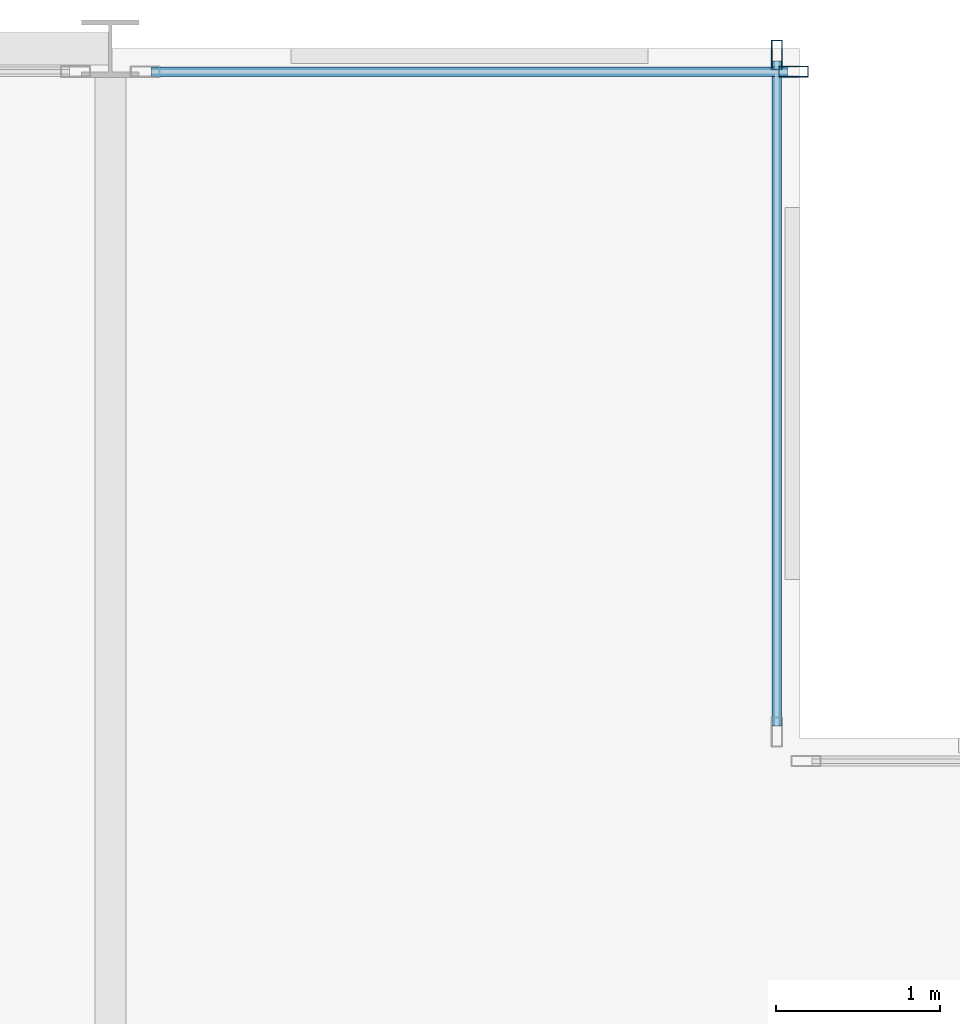
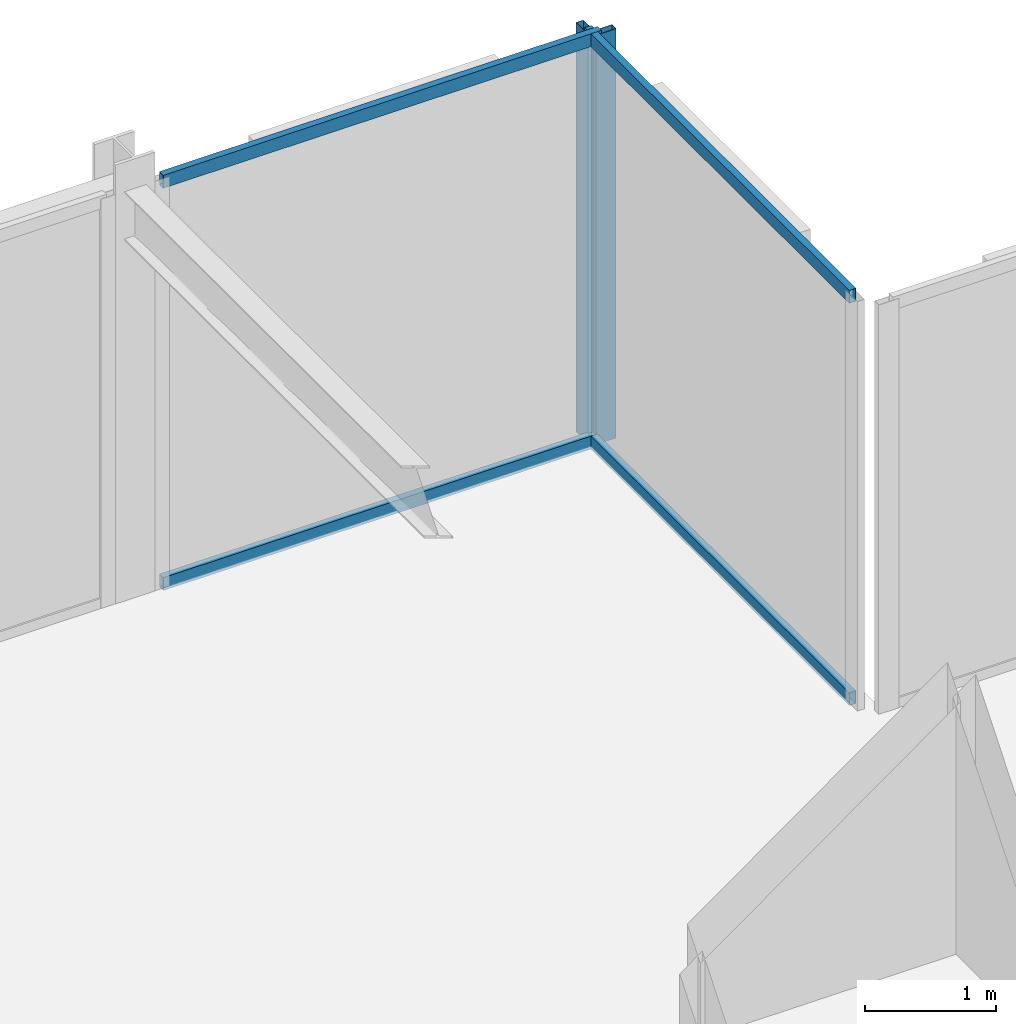
# One storey, part 21 of 29: 6 members, 2 elements without a shape of their own.
"""IFC4 building model written with IfcOpenShell, lengths in metres."""

from ifc_helpers import new_model, si_unit, direction, frame, origin, origin_2d, place, context, subcontext, project, spatial, hollow_rectangle, extrude, material, layer, layer_set, material_profile, profile_set, type_object, element, aggregate, save


model = new_model("IFC4")

# Units and contexts
model_context = context("Model", 3, precision=1e-05, world=origin(), true_north=direction((0.0, 1.0)))
body_context = subcontext(model_context, "Body", "Model", "MODEL_VIEW")
ifc_project = project(units=[si_unit("LENGTHUNIT", "METRE"), si_unit("AREAUNIT", "SQUARE_METRE"), si_unit("VOLUMEUNIT", "CUBIC_METRE"), si_unit("PLANEANGLEUNIT", "RADIAN"), si_unit("MASSUNIT", "GRAM", prefix="KILO")], contexts=[model_context])

# Site, building, storey
site_placement = place(None, origin())
site = spatial("IfcSite", under=ifc_project, at=site_placement, CompositionType="ELEMENT")
building_placement = place(site_placement, origin())
building = spatial("IfcBuilding", under=site, at=building_placement, Name="Nerrivon Quay Data Exchange", CompositionType="ELEMENT")
storey_placement = place(building_placement, frame((0.0, 0.0, 208.300048828125)))
storey = spatial("IfcBuildingStorey", under=building, at=storey_placement, Name="L49", CompositionType="ELEMENT", Elevation=208.300048828125)

# Curtain wall, member
ifc_material = material(Name="Anodised aluminium 6063-T6", Category="aluminium")
ifc_layer = layer(ifc_material, 0.195068359375)
ifc_layer_set = layer_set([ifc_layer], Name="Anodised aluminium 6063-T6")
curtain_wall_type = type_object("IfcCurtainWallType", Name="CW-SYS-06", PredefinedType="NOTDEFINED", material=ifc_layer_set)
curtain_wall_1_placement = place(storey_placement, origin())
curtain_wall_1 = element("IfcCurtainWall", 1, at=curtain_wall_1_placement, inside=storey, type_object=curtain_wall_type, Name="L49 Unitised Curtain Wall 10", PredefinedType="NOTDEFINED")
ifc_material_profile_1 = material_profile(ifc_material, hollow_rectangle(XDim=0.06494140625, YDim=0.179931640625, WallThickness=0.00341796875, at=origin_2d()), Name="ALU-MULL-180x65")
ifc_profile_set_1 = profile_set([ifc_material_profile_1], Name="Anodised aluminium 6063-T6")
member_type_1 = type_object("IfcMemberType", Name="CWM-180x65", PredefinedType="MULLION", material=ifc_profile_set_1)
member_1_placement = place(storey_placement, frame((20.96240234375, 50.260009765625, 0.0), z_axis=(0.0, 0.0, 1.0), x_axis=(0.0, 1.0, 0.0)))
member_1 = element("IfcMember", 2, at=member_1_placement, type_object=member_type_1, Name="CW06 mullion 2", PredefinedType="MULLION", context=body_context, shape_type="SweptSolid", body=[
    extrude(hollow_rectangle(XDim=0.06494140625, YDim=0.179931640625, WallThickness=0.00341796875, at=origin_2d()), origin(), (0.0, 0.0, 1.0), 3.824951171875),
])

curtain_wall_2_placement = place(storey_placement, origin())
curtain_wall_2 = element("IfcCurtainWall", 3, at=curtain_wall_2_placement, inside=storey, type_object=curtain_wall_type, Name="L49 Unitised Curtain Wall 11", PredefinedType="NOTDEFINED")
member_2_placement = place(storey_placement, frame((20.860107421875, 50.362548828125, 0.0), z_axis=(0.0, 0.0, 1.0), x_axis=(1.0, 0.0, 0.0)))
member_2 = element("IfcMember", 4, at=member_2_placement, type_object=member_type_1, Name="CW06 mullion 1", PredefinedType="MULLION", context=body_context, shape_type="SweptSolid", body=[
    extrude(hollow_rectangle(XDim=0.06494140625, YDim=0.179931640625, WallThickness=0.00341796875, at=origin_2d()), origin(), (0.0, 0.0, 1.0), 3.824951171875),
])

# Member
ifc_material_profile_2 = material_profile(ifc_material, hollow_rectangle(XDim=0.06005859375, YDim=0.1201171875, WallThickness=0.003173828125, at=origin_2d()), Name="ALU-TRAN-120x60")
ifc_profile_set_2 = profile_set([ifc_material_profile_2], Name="Anodised aluminium 6063-T6")
member_type_2 = type_object("IfcMemberType", Name="CWT-120x60", PredefinedType="USERDEFINED", material=ifc_profile_set_2)
member_3_placement = place(storey_placement, frame((17.050048828125, 50.260009765625, 0.032470703125), z_axis=(1.0, 0.0, 0.0), x_axis=(0.0, 1.0, 0.0)))
member_3 = element("IfcMember", 5, at=member_3_placement, type_object=member_type_2, Name="CW06 transom 1.1", ObjectType="TRANSOM", PredefinedType="USERDEFINED", context=body_context, shape_type="SweptSolid", body=[
    extrude(hollow_rectangle(XDim=0.06005859375, YDim=0.1201171875, WallThickness=0.003173828125, at=origin_2d()), origin(), (0.0, 0.0, 1.0), 3.875),
])

member_4_placement = place(storey_placement, frame((17.050048828125, 50.260009765625, 3.79248046875), z_axis=(1.0, 0.0, 0.0), x_axis=(0.0, 1.0, 0.0)))
member_4 = element("IfcMember", 6, at=member_4_placement, type_object=member_type_2, Name="CW06 transom 1.2", ObjectType="TRANSOM", PredefinedType="USERDEFINED", context=body_context, shape_type="SweptSolid", body=[
    extrude(hollow_rectangle(XDim=0.06005859375, YDim=0.1201171875, WallThickness=0.003173828125, at=origin_2d()), origin(), (0.0, 0.0, 1.0), 3.875),
])

aggregate(curtain_wall_1, [member_1, member_3, member_4])

member_5_placement = place(storey_placement, frame((20.860107421875, 50.324951171875, 0.032470703125), z_axis=(0.0, -1.0, 0.0), x_axis=(1.0, 0.0, 0.0)))
member_5 = element("IfcMember", 7, at=member_5_placement, type_object=member_type_2, Name="CW06 transom 1.1", ObjectType="TRANSOM", PredefinedType="USERDEFINED", context=body_context, shape_type="SweptSolid", body=[
    extrude(hollow_rectangle(XDim=0.06005859375, YDim=0.1201171875, WallThickness=0.003173828125, at=origin_2d()), origin(), (0.0, 0.0, 1.0), 4.050048828125),
])

member_6_placement = place(storey_placement, frame((20.860107421875, 50.324951171875, 3.79248046875), z_axis=(0.0, -1.0, 0.0), x_axis=(1.0, 0.0, 0.0)))
member_6 = element("IfcMember", 8, at=member_6_placement, type_object=member_type_2, Name="CW06 transom 1.2", ObjectType="TRANSOM", PredefinedType="USERDEFINED", context=body_context, shape_type="SweptSolid", body=[
    extrude(hollow_rectangle(XDim=0.06005859375, YDim=0.1201171875, WallThickness=0.003173828125, at=origin_2d()), origin(), (0.0, 0.0, 1.0), 4.050048828125),
])

aggregate(curtain_wall_2, [member_2, member_5, member_6])

save(model, "model.ifc")
